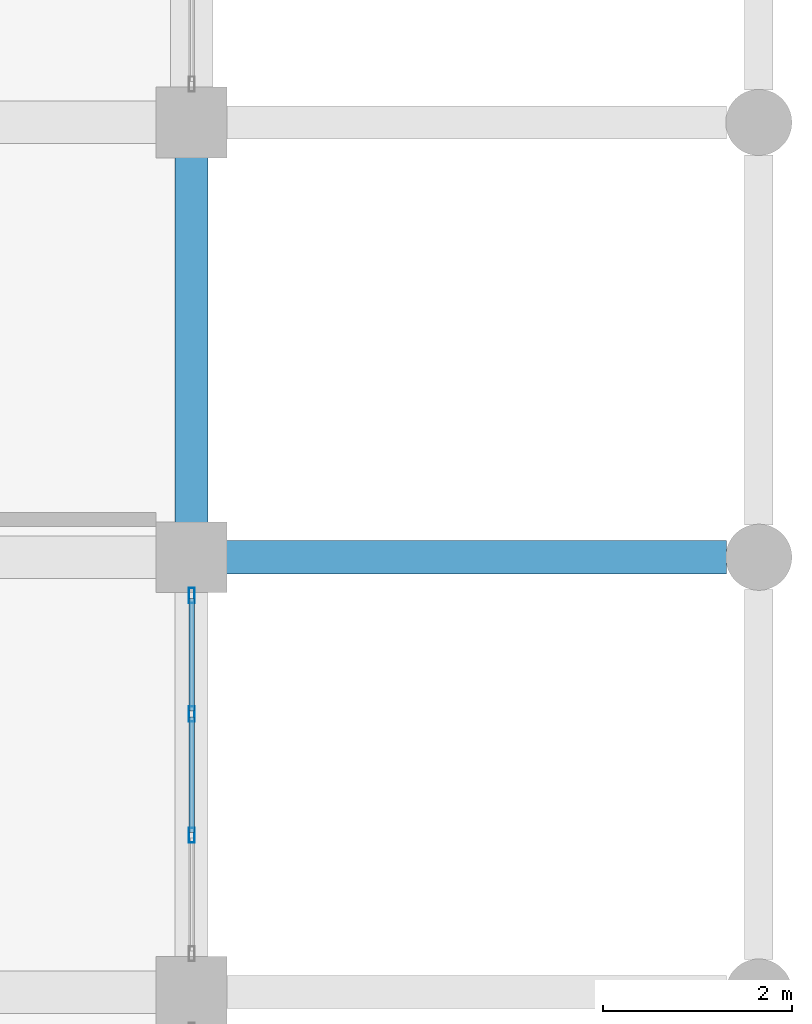
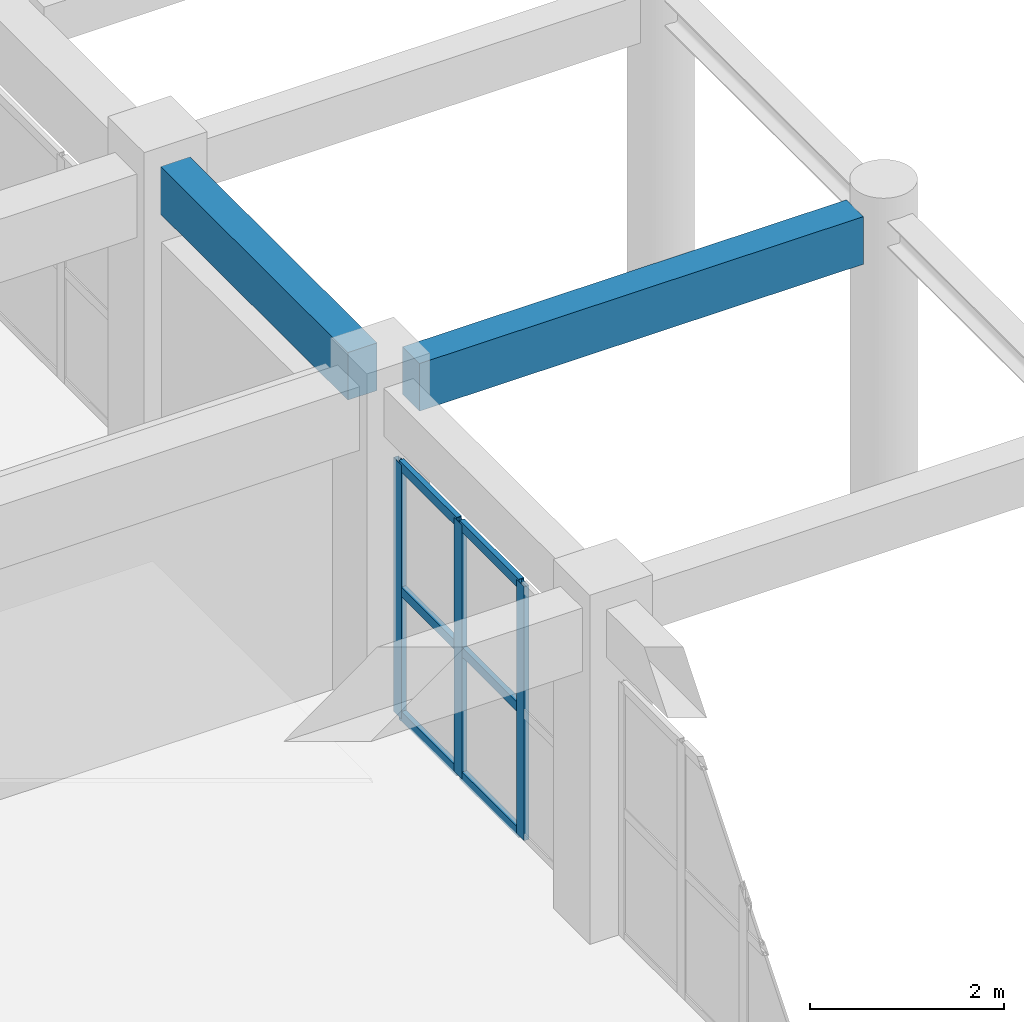
# One storey, part 75 of 116: 9 members, 2 beams, 1 element without a shape of its own.
"""IFC4 building model written with IfcOpenShell, lengths in metres."""

from ifc_helpers import new_model, si_unit, direction, frame, origin, origin_2d, place, context, subcontext, project, spatial, rectangle, hollow_rectangle, extrude, material, layer, layer_set, material_profile, profile_set, type_object, element, aggregate, save


model = new_model("IFC4")

# Units and contexts
model_context = context("Model", 3, precision=1e-05, world=origin(), true_north=direction((0.0, 1.0)))
body_context = subcontext(model_context, "Body", "Model", "MODEL_VIEW")
ifc_project = project(units=[si_unit("LENGTHUNIT", "METRE"), si_unit("AREAUNIT", "SQUARE_METRE"), si_unit("VOLUMEUNIT", "CUBIC_METRE"), si_unit("PLANEANGLEUNIT", "RADIAN"), si_unit("MASSUNIT", "GRAM", prefix="KILO")], contexts=[model_context])

# Site, building, storey
site_placement = place(None, origin())
site = spatial("IfcSite", under=ifc_project, at=site_placement, CompositionType="ELEMENT")
building_placement = place(site_placement, origin())
building = spatial("IfcBuilding", under=site, at=building_placement, Name="Muzn Square Opera House", CompositionType="ELEMENT")
storey_placement = place(building_placement, frame((0.0, 0.0, 5.39990234375)))
storey = spatial("IfcBuildingStorey", under=building, at=storey_placement, Name="L01", CompositionType="ELEMENT", Elevation=5.39990234375)

# Curtain wall, members
ifc_material_1 = material(Name="Low-E laminated acoustic double glazing", Category="glass")
ifc_layer = layer(ifc_material_1, 0.159912109375, Name="Low-E laminated acoustic double glazing", Category="glass")
ifc_layer_set = layer_set([ifc_layer], Name="Low-E laminated acoustic double glazing")
curtain_wall_type = type_object("IfcCurtainWallType", Name="Glazed Curtain Wall EastBlvd 3850x3200", PredefinedType="USERDEFINED", material=ifc_layer_set)
curtain_wall_placement = place(storey_placement, origin())
curtain_wall = element("IfcCurtainWall", 1, at=curtain_wall_placement, inside=storey, type_object=curtain_wall_type, Name="Glazed Curtain Wall CW-L01-118", ObjectType="GLAZED CURTAIN WALL", PredefinedType="USERDEFINED")
ifc_material_2 = material(Name="Anodised bronze aluminium 6063-T6", Category="metal")
ifc_material_profile_1 = material_profile(ifc_material_2, hollow_rectangle(XDim=0.06005859375, YDim=0.159912109375, WallThickness=0.00390625, at=origin_2d()), Name="ALU 160x60x4", Category="metal")
ifc_profile_set_1 = profile_set([ifc_material_profile_1], Name="Anodised bronze aluminium 6063-T6")
member_type_1 = type_object("IfcMemberType", Name="Curtain Wall Mullion 160x60", PredefinedType="MULLION", material=ifc_profile_set_1)
member_1_placement = place(storey_placement, frame((170.0, 65.058349609375, 0.0), z_axis=(0.0, 0.0, 1.0), x_axis=(-1.0, 0.0, 0.0)))
member_1 = element("IfcMember", 2, at=member_1_placement, type_object=member_type_1, Name="CW-EBL-38x32 mullion 2", PredefinedType="MULLION", context=body_context, shape_type="SweptSolid", body=[
    extrude(hollow_rectangle(XDim=0.06005859375, YDim=0.159912109375, WallThickness=0.00390625, at=origin_2d()), origin(), (0.0, 0.0, 1.0), 3.2001953125),
])
member_2_placement = place(storey_placement, frame((170.0, 66.341552734375, 0.0), z_axis=(0.0, 0.0, 1.0), x_axis=(-1.0, 0.0, 0.0)))
member_2 = element("IfcMember", 3, at=member_2_placement, type_object=member_type_1, Name="CW-EBL-38x32 mullion 3", PredefinedType="MULLION", context=body_context, shape_type="SweptSolid", body=[
    extrude(hollow_rectangle(XDim=0.06005859375, YDim=0.159912109375, WallThickness=0.00390625, at=origin_2d()), origin(), (0.0, 0.0, 1.0), 3.2001953125),
])
member_3_placement = place(storey_placement, frame((170.0, 67.594970703125, 0.0), z_axis=(0.0, 0.0, 1.0), x_axis=(-1.0, 0.0, 0.0)))
member_3 = element("IfcMember", 4, at=member_3_placement, type_object=member_type_1, Name="CW-EBL-38x32 mullion 4", PredefinedType="MULLION", context=body_context, shape_type="SweptSolid", body=[
    extrude(hollow_rectangle(XDim=0.06005859375, YDim=0.159912109375, WallThickness=0.00390625, at=origin_2d()), origin(), (0.0, 0.0, 1.0), 3.2001953125),
])
ifc_material_profile_2 = material_profile(ifc_material_2, hollow_rectangle(XDim=0.06005859375, YDim=0.1201171875, WallThickness=0.00390625, at=origin_2d()), Name="ALU 120x60x4", Category="metal")
ifc_profile_set_2 = profile_set([ifc_material_profile_2], Name="Anodised bronze aluminium 6063-T6")
member_type_2 = type_object("IfcMemberType", Name="Curtain Wall Transom 120x60", PredefinedType="USERDEFINED", material=ifc_profile_set_2)
member_4_placement = place(storey_placement, frame((170.0, 65.08837890625, 0.030029296875), z_axis=(0.0, 1.0, 0.0), x_axis=(-1.0, 0.0, 0.0)))
member_4 = element("IfcMember", 5, at=member_4_placement, type_object=member_type_2, Name="CW-EBL-38x32 transom 2.1", ObjectType="TRANSOM", PredefinedType="USERDEFINED", context=body_context, shape_type="SweptSolid", body=[
    extrude(hollow_rectangle(XDim=0.06005859375, YDim=0.1201171875, WallThickness=0.00390625, at=origin_2d()), origin(), (0.0, 0.0, 1.0), 1.223388671875),
])
member_5_placement = place(storey_placement, frame((170.0, 65.08837890625, 1.60009765625), z_axis=(0.0, 1.0, 0.0), x_axis=(-1.0, 0.0, 0.0)))
member_5 = element("IfcMember", 6, at=member_5_placement, type_object=member_type_2, Name="CW-EBL-38x32 transom 2.2", ObjectType="TRANSOM", PredefinedType="USERDEFINED", context=body_context, shape_type="SweptSolid", body=[
    extrude(hollow_rectangle(XDim=0.06005859375, YDim=0.1201171875, WallThickness=0.00390625, at=origin_2d()), origin(), (0.0, 0.0, 1.0), 1.223388671875),
])
member_6_placement = place(storey_placement, frame((170.0, 65.08837890625, 3.170166015625), z_axis=(0.0, 1.0, 0.0), x_axis=(-1.0, 0.0, 0.0)))
member_6 = element("IfcMember", 7, at=member_6_placement, type_object=member_type_2, Name="CW-EBL-38x32 transom 2.3", ObjectType="TRANSOM", PredefinedType="USERDEFINED", context=body_context, shape_type="SweptSolid", body=[
    extrude(hollow_rectangle(XDim=0.06005859375, YDim=0.1201171875, WallThickness=0.00390625, at=origin_2d()), origin(), (0.0, 0.0, 1.0), 1.223388671875),
])
member_7_placement = place(storey_placement, frame((170.0, 66.37158203125, 0.030029296875), z_axis=(0.0, 1.0, 0.0), x_axis=(-1.0, 0.0, 0.0)))
member_7 = element("IfcMember", 8, at=member_7_placement, type_object=member_type_2, Name="CW-EBL-38x32 transom 3.1", ObjectType="TRANSOM", PredefinedType="USERDEFINED", context=body_context, shape_type="SweptSolid", body=[
    extrude(hollow_rectangle(XDim=0.06005859375, YDim=0.1201171875, WallThickness=0.00390625, at=origin_2d()), origin(), (0.0, 0.0, 1.0), 1.193359375),
])
member_8_placement = place(storey_placement, frame((170.0, 66.37158203125, 1.60009765625), z_axis=(0.0, 1.0, 0.0), x_axis=(-1.0, 0.0, 0.0)))
member_8 = element("IfcMember", 9, at=member_8_placement, type_object=member_type_2, Name="CW-EBL-38x32 transom 3.2", ObjectType="TRANSOM", PredefinedType="USERDEFINED", context=body_context, shape_type="SweptSolid", body=[
    extrude(hollow_rectangle(XDim=0.06005859375, YDim=0.1201171875, WallThickness=0.00390625, at=origin_2d()), origin(), (0.0, 0.0, 1.0), 1.193359375),
])
member_9_placement = place(storey_placement, frame((170.0, 66.37158203125, 3.170166015625), z_axis=(0.0, 1.0, 0.0), x_axis=(-1.0, 0.0, 0.0)))
member_9 = element("IfcMember", 10, at=member_9_placement, type_object=member_type_2, Name="CW-EBL-38x32 transom 3.3", ObjectType="TRANSOM", PredefinedType="USERDEFINED", context=body_context, shape_type="SweptSolid", body=[
    extrude(hollow_rectangle(XDim=0.06005859375, YDim=0.1201171875, WallThickness=0.00390625, at=origin_2d()), origin(), (0.0, 0.0, 1.0), 1.193359375),
])
aggregate(curtain_wall, [member_1, member_2, member_3, member_4, member_5, member_6, member_7, member_8, member_9])

# Beams
ifc_material_3 = material(Name="Concrete C40/50", Category="concrete")
ifc_material_profile_3 = material_profile(ifc_material_3, rectangle(XDim=0.35009765625, YDim=0.60009765625, at=origin_2d()), Name="RCB 350x600", Category="concrete")
ifc_profile_set_3 = profile_set([ifc_material_profile_3], Name="Concrete C40/50")
beam_type = type_object("IfcBeamType", Name="Primary Girder 350x600", PredefinedType="BEAM", material=ifc_profile_set_3)
beam_1_placement = place(storey_placement, frame((170.366943359375, 68.0, 3.85009765625), z_axis=(1.0, 0.0, 0.0), x_axis=(0.0, 1.0, 0.0)))
element("IfcBeam", 11, at=beam_1_placement, inside=storey, type_object=beam_type, Name="Primary Girder BM-L01-BM-PG600-1704_680_1757_680-1431", PredefinedType="BEAM", context=body_context, shape_type="SweptSolid", body=[
    extrude(rectangle(XDim=0.35009765625, YDim=0.60009765625, at=origin_2d()), origin(), (0.0, 0.0, 1.0), 5.291015625),
])
beam_2_placement = place(storey_placement, frame((170.0, 68.366943359375, 3.85009765625), z_axis=(0.0, 1.0, 0.0), x_axis=(-1.0, 0.0, 0.0)))
element("IfcBeam", 12, at=beam_2_placement, inside=storey, type_object=beam_type, Name="Primary Girder BM-L01-BM-PG600-1700_684_1700_722-1778", PredefinedType="BEAM", context=body_context, shape_type="SweptSolid", body=[
    extrude(rectangle(XDim=0.35009765625, YDim=0.60009765625, at=origin_2d()), origin(), (0.0, 0.0, 1.0), 3.865966796875),
])

save(model, "model.ifc")
